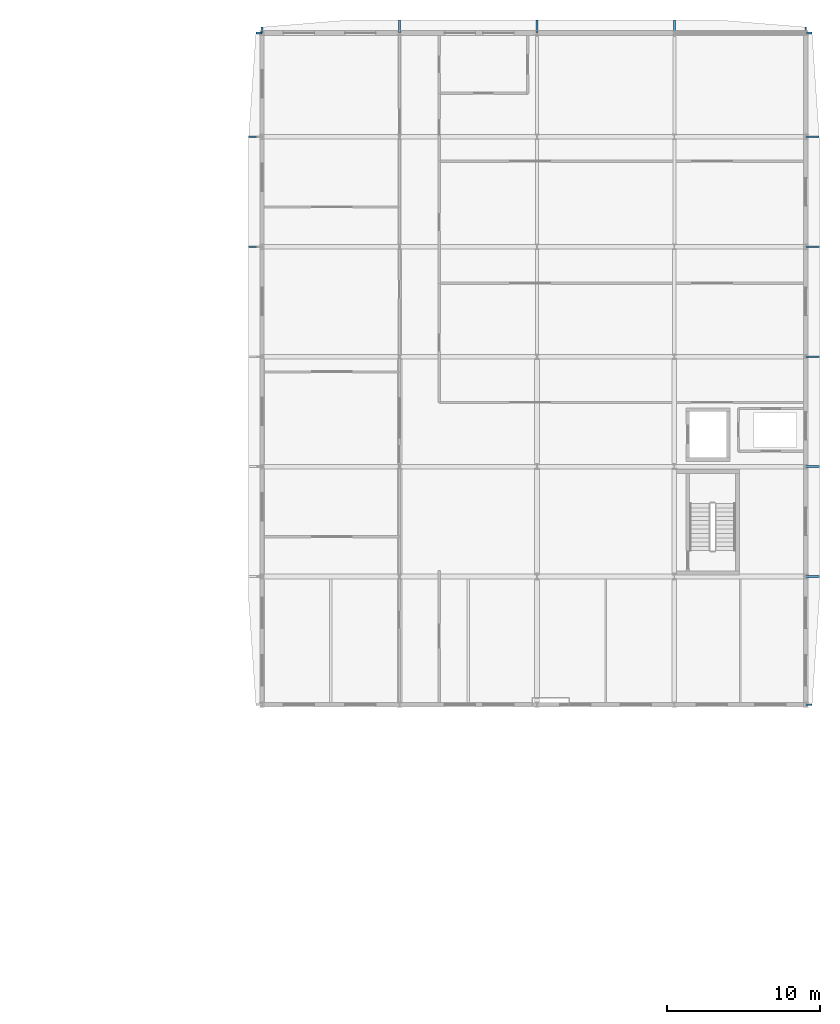
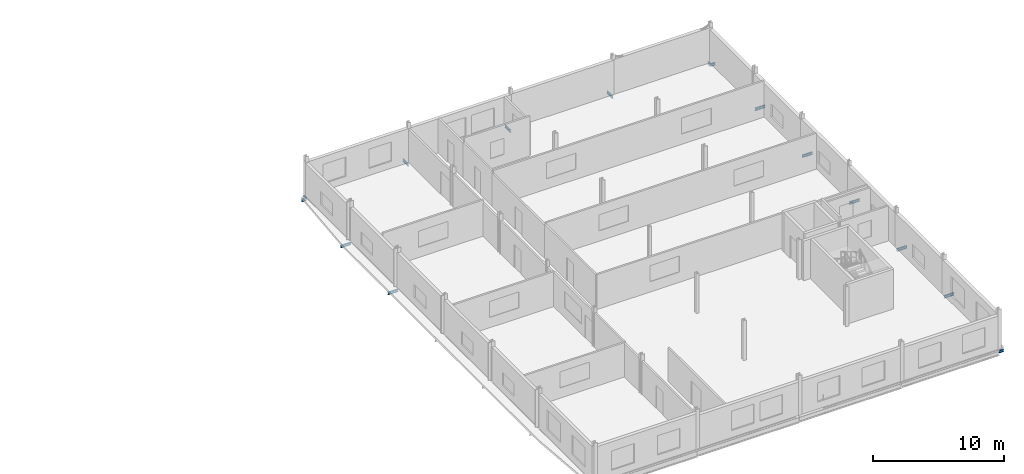
# One storey, part 14 of 30: 15 beams.
"""IFC4 building model written with IfcOpenShell, lengths in metres."""

from ifc_helpers import new_model, si_unit, direction, frame, origin, origin_2d, place, context, subcontext, project, spatial, i_section, extrude, material, material_profile, profile_set, type_object, element, save


model = new_model("IFC4")

# Units and contexts
model_context = context("Model", 3, precision=1e-05, world=origin(), true_north=direction((0.0, 1.0)))
body_context = subcontext(model_context, "Body", "Model", "MODEL_VIEW")
ifc_project = project(units=[si_unit("LENGTHUNIT", "METRE"), si_unit("AREAUNIT", "SQUARE_METRE"), si_unit("VOLUMEUNIT", "CUBIC_METRE"), si_unit("PLANEANGLEUNIT", "RADIAN"), si_unit("MASSUNIT", "GRAM", prefix="KILO")], contexts=[model_context])

# Site, building, storey
site_placement = place(None, origin())
site = spatial("IfcSite", under=ifc_project, at=site_placement, CompositionType="ELEMENT")
building_placement = place(site_placement, origin())
building = spatial("IfcBuilding", under=site, at=building_placement, Name="Vinh Khe Railworks Police Headquarters", CompositionType="ELEMENT")
storey_placement = place(building_placement, frame((0.0, 0.0, 21.0)))
storey = spatial("IfcBuildingStorey", under=building, at=storey_placement, Name="L05", CompositionType="ELEMENT", Elevation=21.0)

# Beams
ifc_material = material(Name="Steel S355JR", Category="steel")
ifc_material_profile = material_profile(ifc_material, i_section(OverallWidth=0.1201171875, OverallDepth=0.239990234375, WebThickness=0.006103515625, FlangeThickness=0.009765625, FilletRadius=0.014892578125, at=origin_2d()), Name="IPE 240")
ifc_profile_set = profile_set([ifc_material_profile], Name="Steel S355JR")
beam_type = type_object("IfcBeamType", Name="Monsoon Hood Outrigger IPE 240", PredefinedType="BEAM", material=ifc_profile_set)
beam_1_placement = place(storey_placement, frame((77.10009765625, 152.39990234375, -0.360107421875), z_axis=(1.0, 0.0, 0.0), x_axis=(0.0, 1.0, 0.0)))
element("IfcBeam", 1, at=beam_1_placement, inside=storey, type_object=beam_type, Name="Monsoon Sun-Hood Outrigger L05-233", PredefinedType="BEAM", context=body_context, shape_type="SweptSolid", body=[
    extrude(i_section(OverallWidth=0.1201171875, OverallDepth=0.239990234375, WebThickness=0.006103515625, FlangeThickness=0.009765625, FilletRadius=0.014892578125, at=origin_2d()), origin(), (0.0, 0.0, 1.0), 0.89990234375),
])
beam_2_placement = place(storey_placement, frame((77.11669921875, 159.60009765625, -0.360107421875), z_axis=(1.0, 0.0, 0.0), x_axis=(0.0, 1.0, 0.0)))
element("IfcBeam", 2, at=beam_2_placement, inside=storey, type_object=beam_type, Name="Monsoon Sun-Hood Outrigger L05-234", PredefinedType="BEAM", context=body_context, shape_type="SweptSolid", body=[
    extrude(i_section(OverallWidth=0.1201171875, OverallDepth=0.239990234375, WebThickness=0.006103515625, FlangeThickness=0.009765625, FilletRadius=0.014892578125, at=origin_2d()), origin(), (0.0, 0.0, 1.0), 0.88330078125),
])
beam_3_placement = place(storey_placement, frame((77.58740234375, 166.39990234375, -0.360107421875), z_axis=(1.0, 0.0, 0.0), x_axis=(0.0, 1.0, 0.0)))
element("IfcBeam", 3, at=beam_3_placement, inside=storey, type_object=beam_type, Name="Monsoon Sun-Hood Outrigger L05-235", PredefinedType="BEAM", context=body_context, shape_type="SweptSolid", body=[
    extrude(i_section(OverallWidth=0.1201171875, OverallDepth=0.239990234375, WebThickness=0.006103515625, FlangeThickness=0.009765625, FilletRadius=0.014892578125, at=origin_2d()), origin(), (0.0, 0.0, 1.0), 0.41259765625),
])
beam_4_placement = place(storey_placement, frame((113.60009765625, 122.39990234375, -0.360107421875), z_axis=(1.0, 0.0, 0.0), x_axis=(0.0, 1.0, 0.0)))
element("IfcBeam", 4, at=beam_4_placement, inside=storey, type_object=beam_type, Name="Monsoon Sun-Hood Outrigger L05-236", PredefinedType="BEAM", context=body_context, shape_type="SweptSolid", body=[
    extrude(i_section(OverallWidth=0.1201171875, OverallDepth=0.239990234375, WebThickness=0.006103515625, FlangeThickness=0.009765625, FilletRadius=0.014892578125, at=origin_2d()), origin(), (0.0, 0.0, 1.0), 0.4189453125),
])
for number, where, z_axis, x_axis, name in (
    (5, (113.60009765625, 130.800048828125, -0.360107421875), (1.0, 0.0, 0.0), (0.0, 1.0, 0.0), "Monsoon Sun-Hood Outrigger L05-237"),
    (6, (113.60009765625, 138.0, -0.360107421875), (1.0, 0.0, 0.0), (0.0, 1.0, 0.0), "Monsoon Sun-Hood Outrigger L05-238"),
    (7, (113.60009765625, 145.199951171875, -0.360107421875), (1.0, 0.0, 0.0), (0.0, 1.0, 0.0), "Monsoon Sun-Hood Outrigger L05-239"),
    (8, (113.60009765625, 152.39990234375, -0.360107421875), (1.0, 0.0, 0.0), (0.0, 1.0, 0.0), "Monsoon Sun-Hood Outrigger L05-240"),
):
    element("IfcBeam", number, at=place(storey_placement, frame(where, z_axis=z_axis, x_axis=x_axis)), inside=storey, type_object=beam_type, Name=name, PredefinedType="BEAM", context=body_context, shape_type="SweptSolid", body=[
        extrude(i_section(OverallWidth=0.1201171875, OverallDepth=0.239990234375, WebThickness=0.006103515625, FlangeThickness=0.009765625, FilletRadius=0.014892578125, at=origin_2d()), origin(), (0.0, 0.0, 1.0), 0.89990234375),
    ])
beam_5_placement = place(storey_placement, frame((113.60009765625, 159.60009765625, -0.360107421875), z_axis=(1.0, 0.0, 0.0), x_axis=(0.0, 1.0, 0.0)))
element("IfcBeam", 9, at=beam_5_placement, inside=storey, type_object=beam_type, Name="Monsoon Sun-Hood Outrigger L05-241", PredefinedType="BEAM", context=body_context, shape_type="SweptSolid", body=[
    extrude(i_section(OverallWidth=0.1201171875, OverallDepth=0.239990234375, WebThickness=0.006103515625, FlangeThickness=0.009765625, FilletRadius=0.014892578125, at=origin_2d()), origin(), (0.0, 0.0, 1.0), 0.883544921875),
])
beam_6_placement = place(storey_placement, frame((113.60009765625, 166.39990234375, -0.360107421875), z_axis=(1.0, 0.0, 0.0), x_axis=(0.0, 1.0, 0.0)))
element("IfcBeam", 10, at=beam_6_placement, inside=storey, type_object=beam_type, Name="Monsoon Sun-Hood Outrigger L05-242", PredefinedType="BEAM", context=body_context, shape_type="SweptSolid", body=[
    extrude(i_section(OverallWidth=0.1201171875, OverallDepth=0.239990234375, WebThickness=0.006103515625, FlangeThickness=0.009765625, FilletRadius=0.014892578125, at=origin_2d()), origin(), (0.0, 0.0, 1.0), 0.4189453125),
])
beam_7_placement = place(storey_placement, frame((78.0, 166.39990234375, -0.360107421875), z_axis=(0.0, 1.0, 0.0), x_axis=(-1.0, 0.0, 0.0)))
element("IfcBeam", 11, at=beam_7_placement, inside=storey, type_object=beam_type, Name="Monsoon Sun-Hood Outrigger L05-243", PredefinedType="BEAM", context=body_context, shape_type="SweptSolid", body=[
    extrude(i_section(OverallWidth=0.1201171875, OverallDepth=0.239990234375, WebThickness=0.006103515625, FlangeThickness=0.009765625, FilletRadius=0.014892578125, at=origin_2d()), origin(), (0.0, 0.0, 1.0), 0.388671875),
])
for number, where, z_axis, x_axis, name in (
    (12, (87.0, 166.39990234375, -0.360107421875), (0.0, 1.0, 0.0), (-1.0, 0.0, 0.0), "Monsoon Sun-Hood Outrigger L05-244"),
    (13, (96.0, 166.39990234375, -0.360107421875), (0.0, 1.0, 0.0), (-1.0, 0.0, 0.0), "Monsoon Sun-Hood Outrigger L05-245"),
    (14, (105.0, 166.39990234375, -0.360107421875), (0.0, 1.0, 0.0), (-1.0, 0.0, 0.0), "Monsoon Sun-Hood Outrigger L05-246"),
):
    element("IfcBeam", number, at=place(storey_placement, frame(where, z_axis=z_axis, x_axis=x_axis)), inside=storey, type_object=beam_type, Name=name, PredefinedType="BEAM", context=body_context, shape_type="SweptSolid", body=[
        extrude(i_section(OverallWidth=0.1201171875, OverallDepth=0.239990234375, WebThickness=0.006103515625, FlangeThickness=0.009765625, FilletRadius=0.014892578125, at=origin_2d()), origin(), (0.0, 0.0, 1.0), 0.85009765625),
    ])
beam_8_placement = place(storey_placement, frame((113.60009765625, 166.39990234375, -0.360107421875), z_axis=(0.0, 1.0, 0.0), x_axis=(-1.0, 0.0, 0.0)))
element("IfcBeam", 15, at=beam_8_placement, inside=storey, type_object=beam_type, Name="Monsoon Sun-Hood Outrigger L05-247", PredefinedType="BEAM", context=body_context, shape_type="SweptSolid", body=[
    extrude(i_section(OverallWidth=0.1201171875, OverallDepth=0.239990234375, WebThickness=0.006103515625, FlangeThickness=0.009765625, FilletRadius=0.014892578125, at=origin_2d()), origin(), (0.0, 0.0, 1.0), 0.388671875),
])

save(model, "model.ifc")
